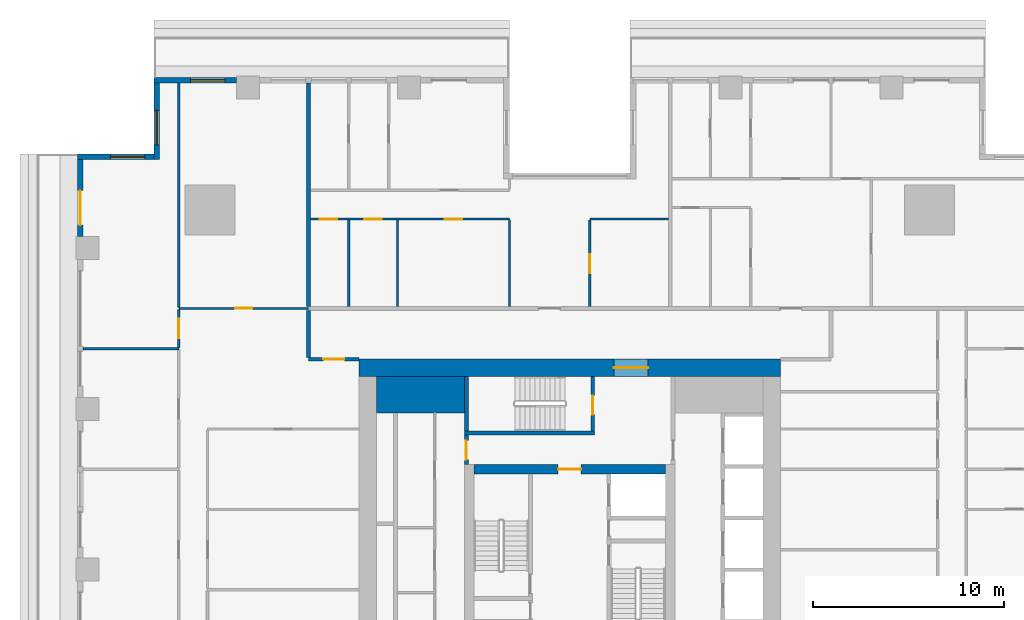
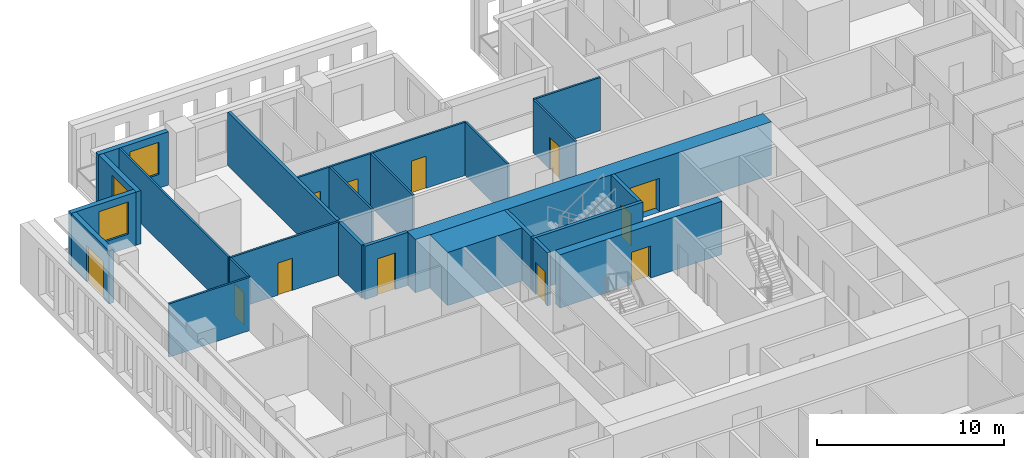
# One storey, part 7 of 16: 24 walls, 12 doors, 3 windows, 15 openings.
"""IFC4 building model written with IfcOpenShell, lengths in metres."""

from ifc_helpers import new_model, si_unit, direction, frame, frame_2d, origin, place, context, subcontext, project, spatial, rectangle, extrude, material, layer, layer_set, type_object, element, fill, save


model = new_model("IFC4")

# Units and contexts
model_context = context("Model", 3, precision=1e-05, world=origin(), true_north=direction((0.0, 1.0)))
body_context = subcontext(model_context, "Body", "Model", "MODEL_VIEW")
ifc_project = project(units=[si_unit("LENGTHUNIT", "METRE"), si_unit("AREAUNIT", "SQUARE_METRE"), si_unit("VOLUMEUNIT", "CUBIC_METRE"), si_unit("PLANEANGLEUNIT", "RADIAN"), si_unit("MASSUNIT", "GRAM", prefix="KILO")], contexts=[model_context])

# Site, building, storey
site_placement = place(None, origin())
site = spatial("IfcSite", under=ifc_project, at=site_placement, CompositionType="ELEMENT")
building_placement = place(site_placement, origin())
building = spatial("IfcBuilding", under=site, at=building_placement, Name="Khepri Terraces", CompositionType="ELEMENT")
storey_placement = place(building_placement, frame((0.0, 0.0, 137.699951171875)))
storey = spatial("IfcBuildingStorey", under=building, at=storey_placement, Name="L32", CompositionType="ELEMENT", Elevation=137.699951171875)

# Walls
ifc_material_1 = material(Name="Concrete C60/75", Category="concrete")
ifc_layer_1 = layer(ifc_material_1, 1.89990234375, Name="Concrete C60/75", Category="concrete")
ifc_layer_set_1 = layer_set([ifc_layer_1], Name="Concrete C60/75")
wall_type_1 = type_object("IfcWallType", Name="Core wall 1900 C60/75", PredefinedType="SHEAR", material=ifc_layer_set_1)
wall_1_placement = place(storey_placement, frame((-10.10009765625, 9.14990234375, 0.0), z_axis=(0.0, 0.0, 1.0), x_axis=(1.0, 0.0, 0.0)))
element("IfcWall", 1, at=wall_1_placement, inside=storey, type_object=wall_type_1, Name="Core wall PR03 L32", PredefinedType="SHEAR", context=body_context, shape_type="SweptSolid", body=[
    extrude(rectangle(XDim=4.60009765625, YDim=1.89990234375, at=frame_2d((2.300048828125, 0.0))), origin(), (0.0, 0.0, 1.0), 3.47998046875),
])
ifc_layer_2 = layer(ifc_material_1, 0.199951171875, Name="Concrete C60/75", Category="concrete")
ifc_layer_set_2 = layer_set([ifc_layer_2], Name="Concrete C60/75")
wall_type_2 = type_object("IfcWallType", Name="Core wall 200 C60/75", PredefinedType="SHEAR", material=ifc_layer_set_2)
wall_2_placement = place(storey_placement, frame((-5.5, 7.14990234375, 0.0), z_axis=(0.0, 0.0, 1.0), x_axis=(1.0, 0.0, 0.0)))
element("IfcWall", 2, at=wall_2_placement, inside=storey, type_object=wall_type_2, Name="Core wall ST05 L32", PredefinedType="SHEAR", context=body_context, shape_type="SweptSolid", body=[
    extrude(rectangle(XDim=6.800048828125, YDim=0.199951171875, at=frame_2d((3.39990234375, 0.0))), origin(), (0.0, 0.0, 1.0), 3.47998046875),
])
wall_3_placement = place(storey_placement, frame((-5.39990234375, 7.25, 0.0), z_axis=(0.0, 0.0, 1.0), x_axis=(0.0, 1.0, 0.0)))
element("IfcWall", 3, at=wall_3_placement, inside=storey, type_object=wall_type_2, Name="Core wall ST06 L32", PredefinedType="SHEAR", context=body_context, shape_type="SweptSolid", body=[
    extrude(rectangle(XDim=2.85009765625, YDim=0.199951171875, at=frame_2d((1.425048828125, 0.0))), origin(), (0.0, 0.0, 1.0), 3.47998046875),
])

# Wall, opening, door
wall_4_placement = place(storey_placement, frame((1.199951171875, 7.25, 0.0), z_axis=(0.0, 0.0, 1.0), x_axis=(0.0, 1.0, 0.0)))
wall_4 = element("IfcWall", 4, at=wall_4_placement, inside=storey, type_object=wall_type_2, Name="Core wall ST07 L32", PredefinedType="SHEAR", context=body_context, shape_type="SweptSolid", body=[
    extrude(rectangle(XDim=2.85009765625, YDim=0.199951171875, at=frame_2d((1.425048828125, 0.0))), origin(), (0.0, 0.0, 1.0), 3.47998046875),
])
opening_1_placement = place(wall_4_placement, frame((0.85009765625, 0.0, 0.0)))
opening_1 = element("IfcOpeningElement", 5, at=opening_1_placement, cuts=wall_4, Name="Opening L32-C15", PredefinedType="OPENING", context=body_context, shape_type="SweptSolid", body=[
    extrude(rectangle(XDim=1.0, YDim=2.10009765625, at=frame_2d((0.5, 1.050048828125))), frame((0.0, 0.10986328125, 0.0), z_axis=(0.0, -1.0, 0.0), x_axis=(1.0, 0.0, 0.0)), (0.0, 0.0, 1.0), 0.219970703125),
])
ifc_material_2 = material(Name="Painted steel", Category="steel")
door_type_1 = type_object("IfcDoorType", Name="DR-CORE-STAIR-1000", OperationType="NOTDEFINED", PredefinedType="DOOR", material=ifc_material_2)
door_1_placement = place(opening_1_placement, origin())
door_1 = element("IfcDoor", 6, at=door_1_placement, inside=storey, type_object=door_type_1, Name="Stair door L32-C15", OperationType="SINGLE_SWING_LEFT", OverallHeight=2.10009765625, OverallWidth=1.0, PredefinedType="DOOR", context=body_context, shape_type="SweptSolid", body=[
    extrude(rectangle(XDim=1.0, YDim=2.10009765625, at=frame_2d((0.5, 1.050048828125))), frame((0.0, 0.02490234375, 0.0), z_axis=(0.0, -1.0, 0.0), x_axis=(1.0, 0.0, 0.0)), (0.0, 0.0, 1.0), 0.050048828125),
])
fill(opening_1, door_1)

ifc_layer_3 = layer(ifc_material_1, 0.5, Name="Concrete C60/75", Category="concrete")
ifc_layer_set_3 = layer_set([ifc_layer_3], Name="Concrete C60/75")
wall_type_3 = type_object("IfcWallType", Name="Core wall 500 C60/75", PredefinedType="SHEAR", material=ifc_layer_set_3)
wall_5_placement = place(storey_placement, frame((-5.0, 5.25, 0.0), z_axis=(0.0, 0.0, 1.0), x_axis=(1.0, 0.0, 0.0)))
wall_5 = element("IfcWall", 7, at=wall_5_placement, inside=storey, type_object=wall_type_3, Name="Core wall BX04 L32", PredefinedType="SHEAR", context=body_context, shape_type="SweptSolid", body=[
    extrude(rectangle(XDim=10.0, YDim=0.5, at=frame_2d((5.0, 0.0))), origin(), (0.0, 0.0, 1.0), 3.47998046875),
])
opening_2_placement = place(wall_5_placement, frame((4.39990234375, 0.0, 0.0)))
opening_2 = element("IfcOpeningElement", 8, at=opening_2_placement, cuts=wall_5, Name="Opening L32-C13", PredefinedType="OPENING", context=body_context, shape_type="SweptSolid", body=[
    extrude(rectangle(XDim=1.199951171875, YDim=2.10009765625, at=frame_2d((0.60009765625, 1.050048828125))), frame((0.0, 0.260009765625, 0.0), z_axis=(0.0, -1.0, 0.0), x_axis=(1.0, 0.0, 0.0)), (0.0, 0.0, 1.0), 0.52001953125),
])
door_type_2 = type_object("IfcDoorType", Name="DR-CORE-FF-LOBBY-1200", OperationType="NOTDEFINED", PredefinedType="DOOR", material=ifc_material_2)
door_2_placement = place(opening_2_placement, frame((1.199951171875, 0.0, 0.0), z_axis=(0.0, 0.0, 1.0), x_axis=(-1.0, 0.0, 0.0)))
door_2 = element("IfcDoor", 9, at=door_2_placement, inside=storey, type_object=door_type_2, Name="Firefighting lobby door L32-C13", OperationType="SINGLE_SWING_LEFT", OverallHeight=2.10009765625, OverallWidth=1.199951171875, PredefinedType="DOOR", context=body_context, shape_type="SweptSolid", body=[
    extrude(rectangle(XDim=1.199951171875, YDim=2.10009765625, at=frame_2d((0.60009765625, 1.050048828125))), frame((0.0, 0.02490234375, 0.0), z_axis=(0.0, -1.0, 0.0), x_axis=(1.0, 0.0, 0.0)), (0.0, 0.0, 1.0), 0.050048828125),
])
fill(opening_2, door_2)

ifc_layer_4 = layer(ifc_material_1, 0.89990234375, Name="Concrete C60/75", Category="concrete")
ifc_layer_set_4 = layer_set([ifc_layer_4], Name="Concrete C60/75")
wall_type_4 = type_object("IfcWallType", Name="Core wall 900 C60/75", PredefinedType="SHEAR", material=ifc_layer_set_4)
wall_6_placement = place(storey_placement, frame((-11.0, 10.550048828125, 0.0), z_axis=(0.0, 0.0, 1.0), x_axis=(1.0, 0.0, 0.0)))
wall_6 = element("IfcWall", 10, at=wall_6_placement, inside=storey, type_object=wall_type_4, Name="Core wall OW-N L32", PredefinedType="SHEAR", context=body_context, shape_type="SweptSolid", body=[
    extrude(rectangle(XDim=22.0, YDim=0.89990234375, at=frame_2d((11.0, 0.0))), origin(), (0.0, 0.0, 1.0), 3.47998046875),
])
opening_3_placement = place(wall_6_placement, frame((13.300048828125, 0.0, 0.0)))
opening_3 = element("IfcOpeningElement", 11, at=opening_3_placement, cuts=wall_6, Name="Opening L32-C20", PredefinedType="OPENING", context=body_context, shape_type="SweptSolid", body=[
    extrude(rectangle(XDim=1.800048828125, YDim=2.199951171875, at=frame_2d((0.89990234375, 1.10009765625))), frame((0.0, 0.4599609375, 0.0), z_axis=(0.0, -1.0, 0.0), x_axis=(1.0, 0.0, 0.0)), (0.0, 0.0, 1.0), 0.919921875),
])
door_type_3 = type_object("IfcDoorType", Name="DR-CORE-ENTRANCE-1800", OperationType="NOTDEFINED", PredefinedType="DOOR", material=ifc_material_2)
door_3_placement = place(opening_3_placement, origin())
door_3 = element("IfcDoor", 12, at=door_3_placement, inside=storey, type_object=door_type_3, Name="Core entrance door pair L32-C20", OperationType="DOUBLE_DOOR_SINGLE_SWING", OverallHeight=2.199951171875, OverallWidth=1.800048828125, PredefinedType="DOOR", context=body_context, shape_type="SweptSolid", body=[
    extrude(rectangle(XDim=1.800048828125, YDim=2.199951171875, at=frame_2d((0.89990234375, 1.10009765625))), frame((0.0, 0.02490234375, 0.0), z_axis=(0.0, -1.0, 0.0), x_axis=(1.0, 0.0, 0.0)), (0.0, 0.0, 1.0), 0.050048828125),
])
fill(opening_3, door_3)

ifc_material_3 = material(Name="Fire-rated gypsum board partition")
ifc_layer_5 = layer(ifc_material_3, 0.199951171875, Name="Fire-rated gypsum board partition")
ifc_layer_set_5 = layer_set([ifc_layer_5], Name="Fire-rated gypsum board partition")
wall_type_5 = type_object("IfcWallType", Name="WL-CORE-PART-200", PredefinedType="PARTITIONING", material=ifc_layer_set_5)
wall_7_placement = place(storey_placement, frame((-5.39990234375, 5.5, 0.0), z_axis=(0.0, 0.0, 1.0), x_axis=(0.0, 1.0, 0.0)))
wall_7 = element("IfcWall", 13, at=wall_7_placement, inside=storey, type_object=wall_type_5, Name="Core partition PT09 L32", PredefinedType="PARTITIONING", context=body_context, shape_type="SweptSolid", body=[
    extrude(rectangle(XDim=1.550048828125, YDim=0.199951171875, at=frame_2d((0.77490234375, 0.0))), origin(), (0.0, 0.0, 1.0), 3.47998046875),
])
opening_4_placement = place(wall_7_placement, frame((0.25, 0.0, 0.0)))
opening_4 = element("IfcOpeningElement", 14, at=opening_4_placement, cuts=wall_7, Name="Opening L32-C16", PredefinedType="OPENING", context=body_context, shape_type="SweptSolid", body=[
    extrude(rectangle(XDim=1.0, YDim=2.10009765625, at=frame_2d((0.5, 1.050048828125))), frame((0.0, 0.10986328125, 0.0), z_axis=(0.0, -1.0, 0.0), x_axis=(1.0, 0.0, 0.0)), (0.0, 0.0, 1.0), 0.219970703125),
])
door_type_4 = type_object("IfcDoorType", Name="DR-CORE-LOBBY-1000", OperationType="NOTDEFINED", PredefinedType="DOOR", material=ifc_material_2)
door_4_placement = place(opening_4_placement, frame((1.0, 0.0, 0.0), z_axis=(0.0, 0.0, 1.0), x_axis=(-1.0, 0.0, 0.0)))
door_4 = element("IfcDoor", 15, at=door_4_placement, inside=storey, type_object=door_type_4, Name="Lobby door L32-C16", OperationType="SINGLE_SWING_RIGHT", OverallHeight=2.10009765625, OverallWidth=1.0, PredefinedType="DOOR", context=body_context, shape_type="SweptSolid", body=[
    extrude(rectangle(XDim=1.0, YDim=2.10009765625, at=frame_2d((0.5, 1.050048828125))), frame((0.0, 0.02490234375, 0.0), z_axis=(0.0, -1.0, 0.0), x_axis=(1.0, 0.0, 0.0)), (0.0, 0.0, 1.0), 0.050048828125),
])
fill(opening_4, door_4)

ifc_material_4 = material(Name="Fire-rated gypsum plasterboard partition, mineral wool")
ifc_layer_6 = layer(ifc_material_4, 0.199951171875, Name="Fire-rated gypsum plasterboard partition, mineral wool")
ifc_layer_set_6 = layer_set([ifc_layer_6], Name="Fire-rated gypsum plasterboard partition, mineral wool")
wall_type_6 = type_object("IfcWallType", Name="WL-CORR-200", PredefinedType="PARTITIONING", material=ifc_layer_set_6)
wall_8_placement = place(storey_placement, frame((-13.64990234375, 11.0, 0.0), z_axis=(0.0, 0.0, 1.0), x_axis=(1.0, 0.0, 0.0)))
wall_8 = element("IfcWall", 16, at=wall_8_placement, inside=storey, type_object=wall_type_6, Name="Partition P-077 L32", PredefinedType="PARTITIONING", context=body_context, shape_type="SweptSolid", body=[
    extrude(rectangle(XDim=2.64990234375, YDim=0.199951171875, at=frame_2d((1.324951171875, 0.0))), origin(), (0.0, 0.0, 1.0), 3.47998046875),
])
opening_5_placement = place(wall_8_placement, frame((0.77490234375, 0.0, 0.0)))
opening_5 = element("IfcOpeningElement", 17, at=opening_5_placement, cuts=wall_8, Name="Opening D1", PredefinedType="OPENING", context=body_context, shape_type="SweptSolid", body=[
    extrude(rectangle(XDim=1.10009765625, YDim=2.39990234375, at=frame_2d((0.550048828125, 1.199951171875))), frame((0.0, 0.10986328125, 0.0), z_axis=(0.0, -1.0, 0.0), x_axis=(1.0, 0.0, 0.0)), (0.0, 0.0, 1.0), 0.219970703125),
])
ifc_material_5 = material(Name="Solid-core timber door leaf, flat entrance door", Category="wood")
door_type_5 = type_object("IfcDoorType", Name="DR-ENT-1100", OperationType="NOTDEFINED", PredefinedType="DOOR", material=ifc_material_5)
door_5_placement = place(opening_5_placement, frame((1.10009765625, 0.0, 0.0), z_axis=(0.0, 0.0, 1.0), x_axis=(-1.0, 0.0, 0.0)))
door_5 = element("IfcDoor", 18, at=door_5_placement, inside=storey, type_object=door_type_5, Name="Flat D1 entrance door", OperationType="SINGLE_SWING_LEFT", OverallHeight=2.39990234375, OverallWidth=1.10009765625, PredefinedType="DOOR", context=body_context, shape_type="SweptSolid", body=[
    extrude(rectangle(XDim=1.10009765625, YDim=2.39990234375, at=frame_2d((0.550048828125, 1.199951171875))), frame((0.0, 0.02490234375, 0.0), z_axis=(0.0, -1.0, 0.0), x_axis=(1.0, 0.0, 0.0)), (0.0, 0.0, 1.0), 0.050048828125),
])
fill(opening_5, door_5)

# Walls
wall_9_placement = place(storey_placement, frame((-13.64990234375, 11.10009765625, 0.0), z_axis=(0.0, 0.0, 1.0), x_axis=(0.0, 1.0, 0.0)))
element("IfcWall", 19, at=wall_9_placement, inside=storey, type_object=wall_type_6, Name="Partition P-079 L32", PredefinedType="PARTITIONING", context=body_context, shape_type="SweptSolid", body=[
    extrude(rectangle(XDim=2.449951171875, YDim=0.199951171875, at=frame_2d((1.22509765625, 0.0))), origin(), (0.0, 0.0, 1.0), 3.47998046875),
])
wall_10_placement = place(storey_placement, frame((-13.64990234375, 13.75, 0.0), z_axis=(0.0, 0.0, 1.0), x_axis=(0.0, 1.0, 0.0)))
element("IfcWall", 20, at=wall_10_placement, inside=storey, type_object=wall_type_6, Name="Partition P-088 L32", PredefinedType="PARTITIONING", context=body_context, shape_type="SweptSolid", body=[
    extrude(rectangle(XDim=11.669921875, YDim=0.199951171875, at=frame_2d((5.8349609375, 0.0))), origin(), (0.0, 0.0, 1.0), 3.47998046875),
])

# Wall, opening, window
ifc_material_6 = material(Name="Precast concrete C50/60 warm stone", Category="masonry")
ifc_layer_7 = layer(ifc_material_6, 0.300048828125, Name="Precast concrete C50/60 warm stone", Category="masonry")
ifc_layer_set_7 = layer_set([ifc_layer_7], Name="Precast concrete C50/60 warm stone")
wall_type_7 = type_object("IfcWallType", Name="WL-EXT-PRECAST-300", PredefinedType="STANDARD", material=ifc_layer_set_7)
wall_11_placement = place(storey_placement, frame((-17.39990234375, 25.570068359375, 0.0), z_axis=(0.0, 0.0, 1.0), x_axis=(-1.0, 0.0, 0.0)))
wall_11 = element("IfcWall", 21, at=wall_11_placement, inside=storey, type_object=wall_type_7, Name="External wall L32 N", PredefinedType="STANDARD", context=body_context, shape_type="SweptSolid", body=[
    extrude(rectangle(XDim=4.320068359375, YDim=0.300048828125, at=frame_2d((2.16015625, 0.0))), origin(), (0.0, 0.0, 1.0), 3.47998046875),
])
opening_6_placement = place(wall_11_placement, frame((0.60009765625, 0.0, 0.89990234375)))
opening_6 = element("IfcOpeningElement", 22, at=opening_6_placement, cuts=wall_11, Name="Opening W1", PredefinedType="OPENING", context=body_context, shape_type="SweptSolid", body=[
    extrude(rectangle(XDim=1.800048828125, YDim=2.10009765625, at=frame_2d((0.89990234375, 1.050048828125))), frame((0.0, 0.16015625, 0.0), z_axis=(0.0, -1.0, 0.0), x_axis=(1.0, 0.0, 0.0)), (0.0, 0.0, 1.0), 0.320068359375),
])
ifc_material_7 = material(Name="Clear glass", Category="glass")
window_type = type_object("IfcWindowType", Name="WIN-RES-1800x2100", PartitioningType="SINGLE_PANEL", PredefinedType="WINDOW", material=ifc_material_7)
window_1_placement = place(opening_6_placement, origin())
window_1 = element("IfcWindow", 23, at=window_1_placement, inside=storey, type_object=window_type, Name="Window L32 N", OverallHeight=2.10009765625, OverallWidth=1.800048828125, PartitioningType="SINGLE_PANEL", PredefinedType="WINDOW", context=body_context, shape_type="SweptSolid", body=[
    extrude(rectangle(XDim=1.800048828125, YDim=2.10009765625, at=frame_2d((0.89990234375, 1.050048828125))), frame((0.0, 0.030029296875, 0.0), z_axis=(0.0, -1.0, 0.0), x_axis=(1.0, 0.0, 0.0)), (0.0, 0.0, 1.0), 0.06005859375),
])
fill(opening_6, window_1)

wall_12_placement = place(storey_placement, frame((-21.570068359375, 25.419921875, 0.0), z_axis=(0.0, 0.0, 1.0), x_axis=(0.0, -1.0, 0.0)))
wall_12 = element("IfcWall", 24, at=wall_12_placement, inside=storey, type_object=wall_type_7, Name="External wall L32 W", PredefinedType="STANDARD", context=body_context, shape_type="SweptSolid", body=[
    extrude(rectangle(XDim=4.0, YDim=0.300048828125, at=frame_2d((2.0, 0.0))), origin(), (0.0, 0.0, 1.0), 3.47998046875),
])
opening_7_placement = place(wall_12_placement, frame((1.419921875, 0.0, 0.89990234375)))
opening_7 = element("IfcOpeningElement", 25, at=opening_7_placement, cuts=wall_12, Name="Opening W1", PredefinedType="OPENING", context=body_context, shape_type="SweptSolid", body=[
    extrude(rectangle(XDim=1.800048828125, YDim=2.10009765625, at=frame_2d((0.89990234375, 1.050048828125))), frame((0.0, 0.16015625, 0.0), z_axis=(0.0, -1.0, 0.0), x_axis=(1.0, 0.0, 0.0)), (0.0, 0.0, 1.0), 0.320068359375),
])
window_2_placement = place(opening_7_placement, origin())
window_2 = element("IfcWindow", 26, at=window_2_placement, inside=storey, type_object=window_type, Name="Window L32 W", OverallHeight=2.10009765625, OverallWidth=1.800048828125, PartitioningType="SINGLE_PANEL", PredefinedType="WINDOW", context=body_context, shape_type="SweptSolid", body=[
    extrude(rectangle(XDim=1.800048828125, YDim=2.10009765625, at=frame_2d((0.89990234375, 1.050048828125))), frame((0.0, 0.030029296875, 0.0), z_axis=(0.0, -1.0, 0.0), x_axis=(1.0, 0.0, 0.0)), (0.0, 0.0, 1.0), 0.06005859375),
])
fill(opening_7, window_2)

wall_13_placement = place(storey_placement, frame((-21.719970703125, 21.570068359375, 0.0), z_axis=(0.0, 0.0, 1.0), x_axis=(-1.0, 0.0, 0.0)))
wall_13 = element("IfcWall", 27, at=wall_13_placement, inside=storey, type_object=wall_type_7, Name="External wall L32 N", PredefinedType="STANDARD", context=body_context, shape_type="SweptSolid", body=[
    extrude(rectangle(XDim=4.0, YDim=0.300048828125, at=frame_2d((2.0, 0.0))), origin(), (0.0, 0.0, 1.0), 3.47998046875),
])
opening_8_placement = place(wall_13_placement, frame((0.47998046875, 0.0, 0.89990234375)))
opening_8 = element("IfcOpeningElement", 28, at=opening_8_placement, cuts=wall_13, Name="Opening W1", PredefinedType="OPENING", context=body_context, shape_type="SweptSolid", body=[
    extrude(rectangle(XDim=1.800048828125, YDim=2.10009765625, at=frame_2d((0.89990234375, 1.050048828125))), frame((0.0, 0.16015625, 0.0), z_axis=(0.0, -1.0, 0.0), x_axis=(1.0, 0.0, 0.0)), (0.0, 0.0, 1.0), 0.320068359375),
])
window_3_placement = place(opening_8_placement, origin())
window_3 = element("IfcWindow", 29, at=window_3_placement, inside=storey, type_object=window_type, Name="Window L32 N", OverallHeight=2.10009765625, OverallWidth=1.800048828125, PartitioningType="SINGLE_PANEL", PredefinedType="WINDOW", context=body_context, shape_type="SweptSolid", body=[
    extrude(rectangle(XDim=1.800048828125, YDim=2.10009765625, at=frame_2d((0.89990234375, 1.050048828125))), frame((0.0, 0.030029296875, 0.0), z_axis=(0.0, -1.0, 0.0), x_axis=(1.0, 0.0, 0.0)), (0.0, 0.0, 1.0), 0.06005859375),
])
fill(opening_8, window_3)

# Wall, opening, door
wall_14_placement = place(storey_placement, frame((-25.570068359375, 21.419921875, 0.0), z_axis=(0.0, 0.0, 1.0), x_axis=(0.0, -1.0, 0.0)))
wall_14 = element("IfcWall", 30, at=wall_14_placement, inside=storey, type_object=wall_type_7, Name="External wall L32 W", PredefinedType="STANDARD", context=body_context, shape_type="SweptSolid", body=[
    extrude(rectangle(XDim=4.02001953125, YDim=0.300048828125, at=frame_2d((2.010009765625, 0.0))), origin(), (0.0, 0.0, 1.0), 3.47998046875),
])
opening_9_placement = place(wall_14_placement, frame((1.6201171875, 0.0, 0.0)))
opening_9 = element("IfcOpeningElement", 31, at=opening_9_placement, cuts=wall_14, Name="Opening ED-L32-11", PredefinedType="OPENING", context=body_context, shape_type="SweptSolid", body=[
    extrude(rectangle(XDim=1.800048828125, YDim=2.39990234375, at=frame_2d((0.89990234375, 1.199951171875))), frame((0.0, 0.16015625, 0.0), z_axis=(0.0, -1.0, 0.0), x_axis=(1.0, 0.0, 0.0)), (0.0, 0.0, 1.0), 0.320068359375),
])
ifc_material_8 = material(Name="Anodised aluminium bronze glazed door", Category="aluminium")
door_type_6 = type_object("IfcDoorType", Name="DR-BAL-SLIDE-1800x2400", OperationType="NOTDEFINED", PredefinedType="DOOR", material=ifc_material_8)
door_6_placement = place(opening_9_placement, origin())
door_6 = element("IfcDoor", 32, at=door_6_placement, inside=storey, type_object=door_type_6, Name="Balcony door L32 W", OperationType="SLIDING_TO_RIGHT", OverallHeight=2.39990234375, OverallWidth=1.800048828125, PredefinedType="DOOR", context=body_context, shape_type="SweptSolid", body=[
    extrude(rectangle(XDim=1.800048828125, YDim=2.39990234375, at=frame_2d((0.89990234375, 1.199951171875))), frame((0.0, 0.02490234375, 0.0), z_axis=(0.0, -1.0, 0.0), x_axis=(1.0, 0.0, 0.0)), (0.0, 0.0, 1.0), 0.050048828125),
])
fill(opening_9, door_6)

# Wall
ifc_material_9 = material(Name="Gypsum plasterboard partition")
ifc_layer_8 = layer(ifc_material_9, 0.1201171875, Name="Gypsum plasterboard partition")
ifc_layer_set_8 = layer_set([ifc_layer_8], Name="Gypsum plasterboard partition")
wall_type_8 = type_object("IfcWallType", Name="WL-PART-120", PredefinedType="PARTITIONING", material=ifc_layer_set_8)
wall_15_placement = place(storey_placement, frame((-25.419921875, 11.550048828125, 0.0), z_axis=(0.0, 0.0, 1.0), x_axis=(1.0, 0.0, 0.0)))
element("IfcWall", 33, at=wall_15_placement, inside=storey, type_object=wall_type_8, Name="Partition P-081 L32", PredefinedType="PARTITIONING", context=body_context, shape_type="SweptSolid", body=[
    extrude(rectangle(XDim=5.0, YDim=0.1201171875, at=frame_2d((2.5, 0.0))), origin(), (0.0, 0.0, 1.0), 3.47998046875),
])

# Wall, opening, door
wall_16_placement = place(storey_placement, frame((-20.419921875, 11.610107421875, 0.0), z_axis=(0.0, 0.0, 1.0), x_axis=(0.0, 1.0, 0.0)))
wall_16 = element("IfcWall", 34, at=wall_16_placement, inside=storey, type_object=wall_type_8, Name="Partition P-083 L32", PredefinedType="PARTITIONING", context=body_context, shape_type="SweptSolid", body=[
    extrude(rectangle(XDim=1.97998046875, YDim=0.1201171875, at=frame_2d((0.989990234375, 0.0))), origin(), (0.0, 0.0, 1.0), 3.47998046875),
])
opening_10_placement = place(wall_16_placement, frame((0.489990234375, 0.0, 0.0)))
opening_10 = element("IfcOpeningElement", 35, at=opening_10_placement, cuts=wall_16, Name="Opening D2", PredefinedType="OPENING", context=body_context, shape_type="SweptSolid", body=[
    extrude(rectangle(XDim=1.0, YDim=2.10009765625, at=frame_2d((0.5, 1.050048828125))), frame((0.0, 0.070068359375, 0.0), z_axis=(0.0, -1.0, 0.0), x_axis=(1.0, 0.0, 0.0)), (0.0, 0.0, 1.0), 0.14013671875),
])
ifc_material_10 = material(Name="Timber door leaf, living room door", Category="wood")
door_type_7 = type_object("IfcDoorType", Name="DR-INT-1000", OperationType="NOTDEFINED", PredefinedType="DOOR", material=ifc_material_10)
door_7_placement = place(opening_10_placement, origin())
door_7 = element("IfcDoor", 36, at=door_7_placement, inside=storey, type_object=door_type_7, Name="Door Living Room", OperationType="SINGLE_SWING_RIGHT", OverallHeight=2.10009765625, OverallWidth=1.0, PredefinedType="DOOR", context=body_context, shape_type="SweptSolid", body=[
    extrude(rectangle(XDim=1.0, YDim=2.10009765625, at=frame_2d((0.5, 1.050048828125))), frame((0.0, 0.02490234375, 0.0), z_axis=(0.0, -1.0, 0.0), x_axis=(1.0, 0.0, 0.0)), (0.0, 0.0, 1.0), 0.050048828125),
])
fill(opening_10, door_7)

wall_17_placement = place(storey_placement, frame((-20.419921875, 13.64990234375, 0.0), z_axis=(0.0, 0.0, 1.0), x_axis=(1.0, 0.0, 0.0)))
wall_17 = element("IfcWall", 37, at=wall_17_placement, inside=storey, type_object=wall_type_8, Name="Partition P-085 L32", PredefinedType="PARTITIONING", context=body_context, shape_type="SweptSolid", body=[
    extrude(rectangle(XDim=6.77001953125, YDim=0.1201171875, at=frame_2d((3.385009765625, 0.0))), origin(), (0.0, 0.0, 1.0), 3.47998046875),
])
opening_11_placement = place(wall_17_placement, frame((2.93505859375, 0.0, 0.0)))
opening_11 = element("IfcOpeningElement", 38, at=opening_11_placement, cuts=wall_17, Name="Opening D3", PredefinedType="OPENING", context=body_context, shape_type="SweptSolid", body=[
    extrude(rectangle(XDim=0.89990234375, YDim=2.10009765625, at=frame_2d((0.449951171875, 1.050048828125))), frame((0.0, 0.070068359375, 0.0), z_axis=(0.0, -1.0, 0.0), x_axis=(1.0, 0.0, 0.0)), (0.0, 0.0, 1.0), 0.14013671875),
])
ifc_material_11 = material(Name="Timber door leaf", Category="wood")
door_type_8 = type_object("IfcDoorType", Name="DR-INT-900", OperationType="NOTDEFINED", PredefinedType="DOOR", material=ifc_material_11)
door_8_placement = place(opening_11_placement, origin())
door_8 = element("IfcDoor", 39, at=door_8_placement, inside=storey, type_object=door_type_8, Name="Door Home Gym", OperationType="SINGLE_SWING_RIGHT", OverallHeight=2.10009765625, OverallWidth=0.89990234375, PredefinedType="DOOR", context=body_context, shape_type="SweptSolid", body=[
    extrude(rectangle(XDim=0.89990234375, YDim=2.10009765625, at=frame_2d((0.449951171875, 1.050048828125))), frame((0.0, 0.02490234375, 0.0), z_axis=(0.0, -1.0, 0.0), x_axis=(1.0, 0.0, 0.0)), (0.0, 0.0, 1.0), 0.050048828125),
])
fill(opening_11, door_8)

# Walls
wall_18_placement = place(storey_placement, frame((-20.419921875, 13.7099609375, 0.0), z_axis=(0.0, 0.0, 1.0), x_axis=(0.0, 1.0, 0.0)))
element("IfcWall", 40, at=wall_18_placement, inside=storey, type_object=wall_type_8, Name="Partition P-087 L32", PredefinedType="PARTITIONING", context=body_context, shape_type="SweptSolid", body=[
    extrude(rectangle(XDim=11.7099609375, YDim=0.1201171875, at=frame_2d((5.85498046875, 0.0))), origin(), (0.0, 0.0, 1.0), 3.47998046875),
])
for number, where, z_axis, x_axis, name in (
    (41, (-11.550048828125, 13.75, 0.0), (0.0, 0.0, 1.0), (0.0, 1.0, 0.0), "Partition P-089 L32"),
    (42, (-9.0, 13.75, 0.0), (0.0, 0.0, 1.0), (0.0, 1.0, 0.0), "Partition P-090 L32"),
    (43, (-3.14990234375, 13.75, 0.0), (0.0, 0.0, 1.0), (0.0, 1.0, 0.0), "Partition P-091 L32"),
):
    element("IfcWall", number, at=place(storey_placement, frame(where, z_axis=z_axis, x_axis=x_axis)), inside=storey, type_object=wall_type_8, Name=name, PredefinedType="PARTITIONING", context=body_context, shape_type="SweptSolid", body=[
        extrude(rectangle(XDim=4.510009765625, YDim=0.1201171875, at=frame_2d((2.2548828125, 0.0))), origin(), (0.0, 0.0, 1.0), 3.47998046875),
    ])

# Wall, opening, door
wall_19_placement = place(storey_placement, frame((1.050048828125, 13.75, 0.0), z_axis=(0.0, 0.0, 1.0), x_axis=(0.0, 1.0, 0.0)))
wall_19 = element("IfcWall", 44, at=wall_19_placement, inside=storey, type_object=wall_type_8, Name="Partition P-092 L32", PredefinedType="PARTITIONING", context=body_context, shape_type="SweptSolid", body=[
    extrude(rectangle(XDim=4.510009765625, YDim=0.1201171875, at=frame_2d((2.2548828125, 0.0))), origin(), (0.0, 0.0, 1.0), 3.47998046875),
])
opening_12_placement = place(wall_19_placement, frame((1.735107421875, 0.0, 0.0)))
opening_12 = element("IfcOpeningElement", 45, at=opening_12_placement, cuts=wall_19, Name="Opening D2", PredefinedType="OPENING", context=body_context, shape_type="SweptSolid", body=[
    extrude(rectangle(XDim=1.0, YDim=2.10009765625, at=frame_2d((0.5, 1.050048828125))), frame((0.0, 0.070068359375, 0.0), z_axis=(0.0, -1.0, 0.0), x_axis=(1.0, 0.0, 0.0)), (0.0, 0.0, 1.0), 0.14013671875),
])
door_9_placement = place(opening_12_placement, frame((1.0, 0.0, 0.0), z_axis=(0.0, 0.0, 1.0), x_axis=(-1.0, 0.0, 0.0)))
door_9 = element("IfcDoor", 46, at=door_9_placement, inside=storey, type_object=door_type_7, Name="Door Family Room", OperationType="SINGLE_SWING_RIGHT", OverallHeight=2.10009765625, OverallWidth=1.0, PredefinedType="DOOR", context=body_context, shape_type="SweptSolid", body=[
    extrude(rectangle(XDim=1.0, YDim=2.10009765625, at=frame_2d((0.5, 1.050048828125))), frame((0.0, 0.02490234375, 0.0), z_axis=(0.0, -1.0, 0.0), x_axis=(1.0, 0.0, 0.0)), (0.0, 0.0, 1.0), 0.050048828125),
])
fill(opening_12, door_9)

# Wall, openings, doors
wall_20_placement = place(storey_placement, frame((-13.550048828125, 18.320068359375, 0.0), z_axis=(0.0, 0.0, 1.0), x_axis=(1.0, 0.0, 0.0)))
wall_20 = element("IfcWall", 47, at=wall_20_placement, inside=storey, type_object=wall_type_8, Name="Partition P-097 L32", PredefinedType="PARTITIONING", context=body_context, shape_type="SweptSolid", body=[
    extrude(rectangle(XDim=10.400146484375, YDim=0.1201171875, at=frame_2d((5.2001953125, 0.0))), origin(), (0.0, 0.0, 1.0), 3.47998046875),
])
opening_13_placement = place(wall_20_placement, frame((7.02490234375, 0.0, 0.0)))
opening_13 = element("IfcOpeningElement", 48, at=opening_13_placement, cuts=wall_20, Name="Opening D3", PredefinedType="OPENING", context=body_context, shape_type="SweptSolid", body=[
    extrude(rectangle(XDim=0.89990234375, YDim=2.10009765625, at=frame_2d((0.449951171875, 1.050048828125))), frame((0.0, 0.070068359375, 0.0), z_axis=(0.0, -1.0, 0.0), x_axis=(1.0, 0.0, 0.0)), (0.0, 0.0, 1.0), 0.14013671875),
])
opening_14_placement = place(wall_20_placement, frame((2.824951171875, 0.0, 0.0)))
opening_14 = element("IfcOpeningElement", 49, at=opening_14_placement, cuts=wall_20, Name="Opening D4", PredefinedType="OPENING", context=body_context, shape_type="SweptSolid", body=[
    extrude(rectangle(XDim=0.89990234375, YDim=2.10009765625, at=frame_2d((0.449951171875, 1.050048828125))), frame((0.0, 0.070068359375, 0.0), z_axis=(0.0, -1.0, 0.0), x_axis=(1.0, 0.0, 0.0)), (0.0, 0.0, 1.0), 0.14013671875),
])
opening_15_placement = place(wall_20_placement, frame((0.5, 0.0, 0.0)))
opening_15 = element("IfcOpeningElement", 50, at=opening_15_placement, cuts=wall_20, Name="Opening D4", PredefinedType="OPENING", context=body_context, shape_type="SweptSolid", body=[
    extrude(rectangle(XDim=0.89990234375, YDim=2.10009765625, at=frame_2d((0.449951171875, 1.050048828125))), frame((0.0, 0.070068359375, 0.0), z_axis=(0.0, -1.0, 0.0), x_axis=(1.0, 0.0, 0.0)), (0.0, 0.0, 1.0), 0.14013671875),
])
door_10_placement = place(opening_13_placement, frame((0.89990234375, 0.0, 0.0), z_axis=(0.0, 0.0, 1.0), x_axis=(-1.0, 0.0, 0.0)))
door_10 = element("IfcDoor", 51, at=door_10_placement, inside=storey, type_object=door_type_8, Name="Door Kitchen", OperationType="SINGLE_SWING_LEFT", OverallHeight=2.10009765625, OverallWidth=0.89990234375, PredefinedType="DOOR", context=body_context, shape_type="SweptSolid", body=[
    extrude(rectangle(XDim=0.89990234375, YDim=2.10009765625, at=frame_2d((0.449951171875, 1.050048828125))), frame((0.0, 0.02490234375, 0.0), z_axis=(0.0, -1.0, 0.0), x_axis=(1.0, 0.0, 0.0)), (0.0, 0.0, 1.0), 0.050048828125),
])
fill(opening_13, door_10)
ifc_material_12 = material(Name="Timber door leaf, moisture resistant", Category="wood")
door_type_9 = type_object("IfcDoorType", Name="DR-WET-900", OperationType="NOTDEFINED", PredefinedType="DOOR", material=ifc_material_12)
door_11_placement = place(opening_14_placement, frame((0.89990234375, 0.0, 0.0), z_axis=(0.0, 0.0, 1.0), x_axis=(-1.0, 0.0, 0.0)))
door_11 = element("IfcDoor", 52, at=door_11_placement, inside=storey, type_object=door_type_9, Name="Door Powder Room", OperationType="SINGLE_SWING_RIGHT", OverallHeight=2.10009765625, OverallWidth=0.89990234375, PredefinedType="DOOR", context=body_context, shape_type="SweptSolid", body=[
    extrude(rectangle(XDim=0.89990234375, YDim=2.10009765625, at=frame_2d((0.449951171875, 1.050048828125))), frame((0.0, 0.02490234375, 0.0), z_axis=(0.0, -1.0, 0.0), x_axis=(1.0, 0.0, 0.0)), (0.0, 0.0, 1.0), 0.050048828125),
])
fill(opening_14, door_11)
door_12_placement = place(opening_15_placement, frame((0.89990234375, 0.0, 0.0), z_axis=(0.0, 0.0, 1.0), x_axis=(-1.0, 0.0, 0.0)))
door_12 = element("IfcDoor", 53, at=door_12_placement, inside=storey, type_object=door_type_9, Name="Door Guest Bathroom", OperationType="SINGLE_SWING_RIGHT", OverallHeight=2.10009765625, OverallWidth=0.89990234375, PredefinedType="DOOR", context=body_context, shape_type="SweptSolid", body=[
    extrude(rectangle(XDim=0.89990234375, YDim=2.10009765625, at=frame_2d((0.449951171875, 1.050048828125))), frame((0.0, 0.02490234375, 0.0), z_axis=(0.0, -1.0, 0.0), x_axis=(1.0, 0.0, 0.0)), (0.0, 0.0, 1.0), 0.050048828125),
])
fill(opening_15, door_12)

# Wall
wall_21_placement = place(storey_placement, frame((1.050048828125, 18.320068359375, 0.0), z_axis=(0.0, 0.0, 1.0), x_axis=(1.0, 0.0, 0.0)))
element("IfcWall", 54, at=wall_21_placement, inside=storey, type_object=wall_type_8, Name="Partition P-098 L32", PredefinedType="PARTITIONING", context=body_context, shape_type="SweptSolid", body=[
    extrude(rectangle(XDim=4.099853515625, YDim=0.1201171875, at=frame_2d((2.0498046875, 0.0))), origin(), (0.0, 0.0, 1.0), 3.47998046875),
])

save(model, "model.ifc")
